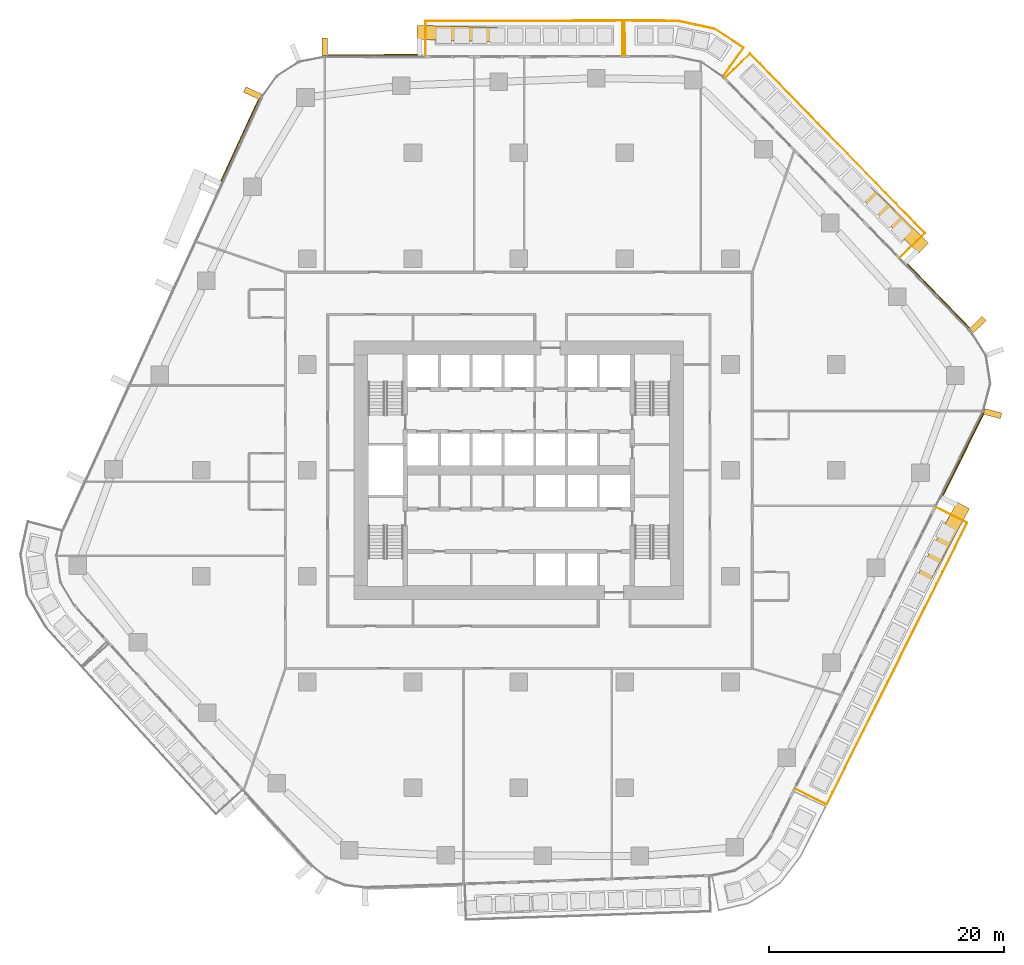
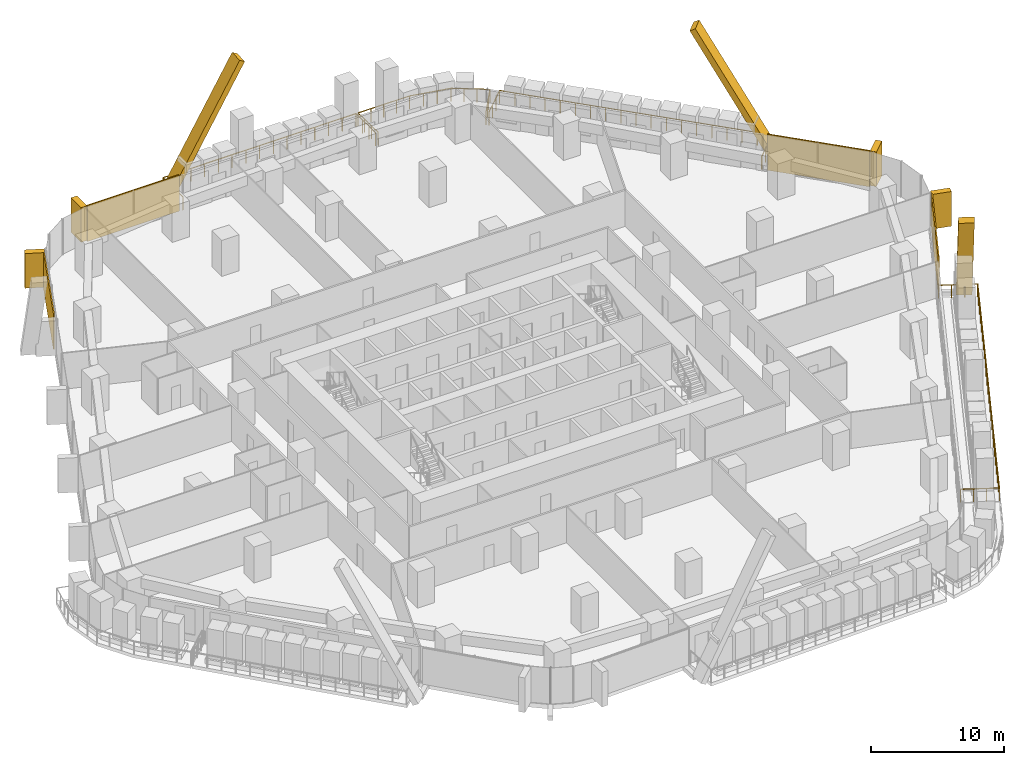
# One storey, part 26 of 26: 11 coverings, 4 railings, 5 elements without a shape of their own.
"""IFC4 building model written with IfcOpenShell, lengths in metres."""

from ifc_helpers import new_model, si_unit, direction, frame, origin, origin_2d, place, context, subcontext, project, spatial, rectangle, circle, extrude, material, layer, layer_set, material_profile, profile_set, type_object, element, aggregate, save


model = new_model("IFC4")

# Units and contexts
model_context = context("Model", 3, precision=1e-05, world=origin(), true_north=direction((0.0, 1.0)))
body_context = subcontext(model_context, "Body", "Model", "MODEL_VIEW")
ifc_project = project(units=[si_unit("LENGTHUNIT", "METRE"), si_unit("AREAUNIT", "SQUARE_METRE"), si_unit("VOLUMEUNIT", "CUBIC_METRE"), si_unit("PLANEANGLEUNIT", "RADIAN"), si_unit("MASSUNIT", "GRAM", prefix="KILO")], contexts=[model_context])

# Site, building, storey
site_placement = place(None, origin())
site = spatial("IfcSite", under=ifc_project, at=site_placement, CompositionType="ELEMENT")
building_placement = place(site_placement, origin())
building = spatial("IfcBuilding", under=site, at=building_placement, Name="Dongbaek Canopy Tower", CompositionType="ELEMENT")
storey_placement = place(building_placement, frame((0.0, 0.0, 73.60009765625)))
storey = spatial("IfcBuildingStorey", under=building, at=storey_placement, Name="L14", CompositionType="ELEMENT", Elevation=73.60009765625)

# Railings
ifc_material_1 = material(Name="Stainless steel", Category="steel")
railing_type = type_object("IfcRailingType", Name="Balcony balustrade 1200", PredefinedType="BALUSTRADE", material=ifc_material_1)
railing_1_placement = place(storey_placement, frame((32.41162109375, 18.11767578125, 0.0)))
element("IfcRailing", 1, at=railing_1_placement, inside=storey, type_object=railing_type, Name="Balcony guard L14 1", PredefinedType="BALUSTRADE", context=body_context, shape_type="SweptSolid", body=[
    extrude(circle(Radius=0.02392578125, at=origin_2d()), frame((0.0, 0.0, 1.17578125), z_axis=(0.717205859131, 0.696861360406, 0.0), x_axis=(-0.696861360406, 0.717205859131, 0.0)), (0.0, 0.0, 1.0), 2.940185546875),
    extrude(circle(Radius=0.02392578125, at=origin_2d()), frame((2.108642578125, 2.048828125, 1.17578125), z_axis=(-0.696881519823, 0.717186271013, 0.0), x_axis=(-0.717186271013, -0.696881519823, 0.0)), (0.0, 0.0, 1.0), 21.30615234375),
    extrude(circle(Radius=0.02392578125, at=origin_2d()), frame((-12.7392578125, 17.329345703125, 1.17578125), z_axis=(-0.717205859131, -0.696861360406, 0.0), x_axis=(0.696861360406, -0.717205859131, 0.0)), (0.0, 0.0, 1.0), 2.940185546875),
    extrude(circle(Radius=0.02099609375, at=origin_2d()), origin(), (0.0, 0.0, 1.0), 1.15185546875),
    extrude(circle(Radius=0.02099609375, at=origin_2d()), frame((0.702880859375, 0.682861328125, 0.0)), (0.0, 0.0, 1.0), 1.15185546875),
    extrude(circle(Radius=0.02099609375, at=origin_2d()), frame((1.40576171875, 1.365966796875, 0.0)), (0.0, 0.0, 1.0), 1.15185546875),
    extrude(circle(Radius=0.02099609375, at=origin_2d()), frame((2.108642578125, 2.048828125, 0.0)), (0.0, 0.0, 1.0), 1.15185546875),
    extrude(circle(Radius=0.02099609375, at=origin_2d()), frame((1.28369140625, 2.897705078125, 0.0)), (0.0, 0.0, 1.0), 1.15185546875),
    extrude(circle(Radius=0.02099609375, at=origin_2d()), frame((0.458984375, 3.74658203125, 0.0)), (0.0, 0.0, 1.0), 1.15185546875),
    extrude(circle(Radius=0.02099609375, at=origin_2d()), frame((-0.365966796875, 4.595703125, 0.0)), (0.0, 0.0, 1.0), 1.15185546875),
    extrude(circle(Radius=0.02099609375, at=origin_2d()), frame((-1.19091796875, 5.444580078125, 0.0)), (0.0, 0.0, 1.0), 1.15185546875),
    extrude(circle(Radius=0.02099609375, at=origin_2d()), frame((-2.015869140625, 6.29345703125, 0.0)), (0.0, 0.0, 1.0), 1.15185546875),
    extrude(circle(Radius=0.02099609375, at=origin_2d()), frame((-2.840576171875, 7.142333984375, 0.0)), (0.0, 0.0, 1.0), 1.15185546875),
    extrude(circle(Radius=0.02099609375, at=origin_2d()), frame((-3.66552734375, 7.9912109375, 0.0)), (0.0, 0.0, 1.0), 1.15185546875),
    extrude(circle(Radius=0.02099609375, at=origin_2d()), frame((-4.490478515625, 8.840087890625, 0.0)), (0.0, 0.0, 1.0), 1.15185546875),
    extrude(circle(Radius=0.02099609375, at=origin_2d()), frame((-5.3154296875, 9.68896484375, 0.0)), (0.0, 0.0, 1.0), 1.15185546875),
    extrude(circle(Radius=0.02099609375, at=origin_2d()), frame((-6.14013671875, 10.5380859375, 0.0)), (0.0, 0.0, 1.0), 1.15185546875),
    extrude(circle(Radius=0.02099609375, at=origin_2d()), frame((-6.965087890625, 11.386962890625, 0.0)), (0.0, 0.0, 1.0), 1.15185546875),
    extrude(circle(Radius=0.02099609375, at=origin_2d()), frame((-7.7900390625, 12.23583984375, 0.0)), (0.0, 0.0, 1.0), 1.15185546875),
    extrude(circle(Radius=0.02099609375, at=origin_2d()), frame((-8.61474609375, 13.084716796875, 0.0)), (0.0, 0.0, 1.0), 1.15185546875),
    extrude(circle(Radius=0.02099609375, at=origin_2d()), frame((-9.439697265625, 13.93359375, 0.0)), (0.0, 0.0, 1.0), 1.15185546875),
    extrude(circle(Radius=0.02099609375, at=origin_2d()), frame((-10.2646484375, 14.78271484375, 0.0)), (0.0, 0.0, 1.0), 1.15185546875),
    extrude(circle(Radius=0.02099609375, at=origin_2d()), frame((-11.089599609375, 15.631591796875, 0.0)), (0.0, 0.0, 1.0), 1.15185546875),
    extrude(circle(Radius=0.02099609375, at=origin_2d()), frame((-11.914306640625, 16.48046875, 0.0)), (0.0, 0.0, 1.0), 1.15185546875),
    extrude(circle(Radius=0.02099609375, at=origin_2d()), frame((-12.7392578125, 17.329345703125, 0.0)), (0.0, 0.0, 1.0), 1.15185546875),
    extrude(circle(Radius=0.02099609375, at=origin_2d()), frame((-13.442138671875, 16.646484375, 0.0)), (0.0, 0.0, 1.0), 1.15185546875),
    extrude(circle(Radius=0.02099609375, at=origin_2d()), frame((-14.14501953125, 15.96337890625, 0.0)), (0.0, 0.0, 1.0), 1.15185546875),
    extrude(circle(Radius=0.02099609375, at=origin_2d()), frame((-14.847900390625, 15.280517578125, 0.0)), (0.0, 0.0, 1.0), 1.15185546875),
])
railing_2_placement = place(storey_placement, frame((8.82421875, 35.28955078125, 0.0)))
element("IfcRailing", 2, at=railing_2_placement, inside=storey, type_object=railing_type, Name="Balcony guard L14 2", PredefinedType="BALUSTRADE", context=body_context, shape_type="SweptSolid", body=[
    extrude(circle(Radius=0.02392578125, at=origin_2d()), frame((0.0, 0.0, 1.17578125), z_axis=(-0.00141172422, 0.999999003517, 0.0), x_axis=(-0.999999003517, -0.00141172422, 0.0)), (0.0, 0.0, 1.0), 2.93994140625),
    extrude(circle(Radius=0.02392578125, at=origin_2d()), frame((-0.004150390625, 2.93994140625, 1.17578125), z_axis=(-0.999998979177, -0.001428861575, 0.0), x_axis=(0.001428861575, -0.999998979177, 0.0)), (0.0, 0.0, 1.0), 16.74462890625),
    extrude(circle(Radius=0.02392578125, at=origin_2d()), frame((-16.748779296875, 2.916015625, 1.17578125), z_axis=(0.001494642522, -0.999998883021, 0.0), x_axis=(0.999998883021, 0.001494642522, 0.0)), (0.0, 0.0, 1.0), 2.940185546875),
    extrude(circle(Radius=0.02099609375, at=origin_2d()), origin(), (0.0, 0.0, 1.0), 1.15185546875),
    extrude(circle(Radius=0.02099609375, at=origin_2d()), frame((-0.00146484375, 0.97998046875, 0.0)), (0.0, 0.0, 1.0), 1.15185546875),
    extrude(circle(Radius=0.02099609375, at=origin_2d()), frame((-0.002685546875, 1.9599609375, 0.0)), (0.0, 0.0, 1.0), 1.15185546875),
    extrude(circle(Radius=0.02099609375, at=origin_2d()), frame((-0.004150390625, 2.93994140625, 0.0)), (0.0, 0.0, 1.0), 1.15185546875),
    extrude(circle(Radius=0.02099609375, at=origin_2d()), frame((-1.2001953125, 2.938232421875, 0.0)), (0.0, 0.0, 1.0), 1.15185546875),
    extrude(circle(Radius=0.02099609375, at=origin_2d()), frame((-2.396240234375, 2.9365234375, 0.0)), (0.0, 0.0, 1.0), 1.15185546875),
    extrude(circle(Radius=0.02099609375, at=origin_2d()), frame((-3.59228515625, 2.934814453125, 0.0)), (0.0, 0.0, 1.0), 1.15185546875),
    extrude(circle(Radius=0.02099609375, at=origin_2d()), frame((-4.788330078125, 2.93310546875, 0.0)), (0.0, 0.0, 1.0), 1.15185546875),
    extrude(circle(Radius=0.02099609375, at=origin_2d()), frame((-5.984375, 2.931396484375, 0.0)), (0.0, 0.0, 1.0), 1.15185546875),
    extrude(circle(Radius=0.02099609375, at=origin_2d()), frame((-7.180419921875, 2.9296875, 0.0)), (0.0, 0.0, 1.0), 1.15185546875),
    extrude(circle(Radius=0.02099609375, at=origin_2d()), frame((-8.37646484375, 2.927978515625, 0.0)), (0.0, 0.0, 1.0), 1.15185546875),
    extrude(circle(Radius=0.02099609375, at=origin_2d()), frame((-9.572509765625, 2.92626953125, 0.0)), (0.0, 0.0, 1.0), 1.15185546875),
    extrude(circle(Radius=0.02099609375, at=origin_2d()), frame((-10.7685546875, 2.924560546875, 0.0)), (0.0, 0.0, 1.0), 1.15185546875),
    extrude(circle(Radius=0.02099609375, at=origin_2d()), frame((-11.964599609375, 2.9228515625, 0.0)), (0.0, 0.0, 1.0), 1.15185546875),
    extrude(circle(Radius=0.02099609375, at=origin_2d()), frame((-13.16064453125, 2.921142578125, 0.0)), (0.0, 0.0, 1.0), 1.15185546875),
    extrude(circle(Radius=0.02099609375, at=origin_2d()), frame((-14.356689453125, 2.91943359375, 0.0)), (0.0, 0.0, 1.0), 1.15185546875),
    extrude(circle(Radius=0.02099609375, at=origin_2d()), frame((-15.552734375, 2.917724609375, 0.0)), (0.0, 0.0, 1.0), 1.15185546875),
    extrude(circle(Radius=0.02099609375, at=origin_2d()), frame((-16.748779296875, 2.916015625, 0.0)), (0.0, 0.0, 1.0), 1.15185546875),
    extrude(circle(Radius=0.02099609375, at=origin_2d()), frame((-16.747314453125, 1.93603515625, 0.0)), (0.0, 0.0, 1.0), 1.15185546875),
    extrude(circle(Radius=0.02099609375, at=origin_2d()), frame((-16.745849609375, 0.955810546875, 0.0)), (0.0, 0.0, 1.0), 1.15185546875),
    extrude(circle(Radius=0.02099609375, at=origin_2d()), frame((-16.744384765625, -0.024169921875, 0.0)), (0.0, 0.0, 1.0), 1.15185546875),
])
railing_3_placement = place(storey_placement, frame((17.396240234375, 33.5390625, 0.0)))
element("IfcRailing", 3, at=railing_3_placement, inside=storey, type_object=railing_type, Name="Balcony guard L14 6", PredefinedType="BALUSTRADE", context=body_context, shape_type="SweptSolid", body=[
    extrude(circle(Radius=0.02392578125, at=origin_2d()), frame((0.0, 0.0, 1.17578125), z_axis=(0.580916151266, 0.813963405319, 0.0), x_axis=(-0.813963405319, 0.580916151266, 0.0)), (0.0, 0.0, 1.0), 2.940673828125),
    extrude(circle(Radius=0.02392578125, at=origin_2d()), frame((1.708251953125, 2.3935546875, 1.17578125), z_axis=(-0.836812141549, 0.547490127543, 0.0), x_axis=(-0.547490127543, -0.836812141549, 0.0)), (0.0, 0.0, 1.0), 2.923095703125),
    extrude(circle(Radius=0.02392578125, at=origin_2d()), frame((-0.73779296875, 3.993896484375, 1.17578125), z_axis=(-0.977539161475, 0.210753855914, 0.0), x_axis=(-0.210753855914, -0.977539161475, 0.0)), (0.0, 0.0, 1.0), 3.266845703125),
    extrude(circle(Radius=0.02392578125, at=origin_2d()), frame((-3.93115234375, 4.682373046875, 1.17578125), z_axis=(-0.99999828738, 0.001850739849, 0.0), x_axis=(-0.001850739849, -0.99999828738, 0.0)), (0.0, 0.0, 1.0), 4.485107421875),
    extrude(circle(Radius=0.02392578125, at=origin_2d()), frame((-8.416259765625, 4.690673828125, 1.17578125), z_axis=(0.021835018894, -0.999761587555, 0.0), x_axis=(0.999761587555, 0.021835018894, 0.0)), (0.0, 0.0, 1.0), 2.940673828125),
    extrude(circle(Radius=0.02099609375, at=origin_2d()), origin(), (0.0, 0.0, 1.0), 1.15185546875),
    extrude(circle(Radius=0.02099609375, at=origin_2d()), frame((0.5693359375, 0.7978515625, 0.0)), (0.0, 0.0, 1.0), 1.15185546875),
    extrude(circle(Radius=0.02099609375, at=origin_2d()), frame((1.138916015625, 1.595703125, 0.0)), (0.0, 0.0, 1.0), 1.15185546875),
    extrude(circle(Radius=0.02099609375, at=origin_2d()), frame((1.708251953125, 2.3935546875, 0.0)), (0.0, 0.0, 1.0), 1.15185546875),
    extrude(circle(Radius=0.02099609375, at=origin_2d()), frame((0.892822265625, 2.927001953125, 0.0)), (0.0, 0.0, 1.0), 1.15185546875),
    extrude(circle(Radius=0.02099609375, at=origin_2d()), frame((0.07763671875, 3.46044921875, 0.0)), (0.0, 0.0, 1.0), 1.15185546875),
    extrude(circle(Radius=0.02099609375, at=origin_2d()), frame((-0.73779296875, 3.993896484375, 0.0)), (0.0, 0.0, 1.0), 1.15185546875),
    extrude(circle(Radius=0.02099609375, at=origin_2d()), frame((-1.80224609375, 4.223388671875, 0.0)), (0.0, 0.0, 1.0), 1.15185546875),
    extrude(circle(Radius=0.02099609375, at=origin_2d()), frame((-2.86669921875, 4.452880859375, 0.0)), (0.0, 0.0, 1.0), 1.15185546875),
    extrude(circle(Radius=0.02099609375, at=origin_2d()), frame((-3.93115234375, 4.682373046875, 0.0)), (0.0, 0.0, 1.0), 1.15185546875),
    extrude(circle(Radius=0.02099609375, at=origin_2d()), frame((-5.052490234375, 4.6845703125, 0.0)), (0.0, 0.0, 1.0), 1.15185546875),
    extrude(circle(Radius=0.02099609375, at=origin_2d()), frame((-6.173828125, 4.6865234375, 0.0)), (0.0, 0.0, 1.0), 1.15185546875),
    extrude(circle(Radius=0.02099609375, at=origin_2d()), frame((-7.294921875, 4.6884765625, 0.0)), (0.0, 0.0, 1.0), 1.15185546875),
    extrude(circle(Radius=0.02099609375, at=origin_2d()), frame((-8.416259765625, 4.690673828125, 0.0)), (0.0, 0.0, 1.0), 1.15185546875),
    extrude(circle(Radius=0.02099609375, at=origin_2d()), frame((-8.394775390625, 3.710693359375, 0.0)), (0.0, 0.0, 1.0), 1.15185546875),
    extrude(circle(Radius=0.02099609375, at=origin_2d()), frame((-8.37353515625, 2.730712890625, 0.0)), (0.0, 0.0, 1.0), 1.15185546875),
    extrude(circle(Radius=0.02099609375, at=origin_2d()), frame((-8.35205078125, 1.750732421875, 0.0)), (0.0, 0.0, 1.0), 1.15185546875),
])
railing_4_placement = place(storey_placement, frame((23.53271484375, -27.111328125, 0.0)))
element("IfcRailing", 4, at=railing_4_placement, inside=storey, type_object=railing_type, Name="Balcony guard L14 5", PredefinedType="BALUSTRADE", context=body_context, shape_type="SweptSolid", body=[
    extrude(circle(Radius=0.02392578125, at=origin_2d()), frame((0.0, 0.0, 1.17578125), z_axis=(0.894825421688, -0.446416246009, 0.0), x_axis=(0.446416246009, 0.894825421688, 0.0)), (0.0, 0.0, 1.0), 2.940185546875),
    extrude(circle(Radius=0.02392578125, at=origin_2d()), frame((2.630859375, -1.3125, 1.17578125), z_axis=(0.446422098832, 0.89482250177, 0.0), x_axis=(-0.89482250177, 0.446422098832, 0.0)), (0.0, 0.0, 1.0), 26.77978515625),
    extrude(circle(Radius=0.02392578125, at=origin_2d()), frame((14.5859375, 22.650634765625, 1.17578125), z_axis=(-0.894825421688, 0.446416246009, 0.0), x_axis=(-0.446416246009, -0.894825421688, 0.0)), (0.0, 0.0, 1.0), 2.940185546875),
    extrude(circle(Radius=0.02099609375, at=origin_2d()), origin(), (0.0, 0.0, 1.0), 1.15185546875),
    extrude(circle(Radius=0.02099609375, at=origin_2d()), frame((0.876953125, -0.4375, 0.0)), (0.0, 0.0, 1.0), 1.15185546875),
    extrude(circle(Radius=0.02099609375, at=origin_2d()), frame((1.75390625, -0.875, 0.0)), (0.0, 0.0, 1.0), 1.15185546875),
    extrude(circle(Radius=0.02099609375, at=origin_2d()), frame((2.630859375, -1.3125, 0.0)), (0.0, 0.0, 1.0), 1.15185546875),
    extrude(circle(Radius=0.02099609375, at=origin_2d()), frame((3.150634765625, -0.2705078125, 0.0)), (0.0, 0.0, 1.0), 1.15185546875),
    extrude(circle(Radius=0.02099609375, at=origin_2d()), frame((3.67041015625, 0.771240234375, 0.0)), (0.0, 0.0, 1.0), 1.15185546875),
    extrude(circle(Radius=0.02099609375, at=origin_2d()), frame((4.190185546875, 1.813232421875, 0.0)), (0.0, 0.0, 1.0), 1.15185546875),
    extrude(circle(Radius=0.02099609375, at=origin_2d()), frame((4.7099609375, 2.85498046875, 0.0)), (0.0, 0.0, 1.0), 1.15185546875),
    extrude(circle(Radius=0.02099609375, at=origin_2d()), frame((5.229736328125, 3.89697265625, 0.0)), (0.0, 0.0, 1.0), 1.15185546875),
    extrude(circle(Radius=0.02099609375, at=origin_2d()), frame((5.74951171875, 4.938720703125, 0.0)), (0.0, 0.0, 1.0), 1.15185546875),
    extrude(circle(Radius=0.02099609375, at=origin_2d()), frame((6.269287109375, 5.980712890625, 0.0)), (0.0, 0.0, 1.0), 1.15185546875),
    extrude(circle(Radius=0.02099609375, at=origin_2d()), frame((6.7890625, 7.0224609375, 0.0)), (0.0, 0.0, 1.0), 1.15185546875),
    extrude(circle(Radius=0.02099609375, at=origin_2d()), frame((7.308837890625, 8.064453125, 0.0)), (0.0, 0.0, 1.0), 1.15185546875),
    extrude(circle(Radius=0.02099609375, at=origin_2d()), frame((7.82861328125, 9.106201171875, 0.0)), (0.0, 0.0, 1.0), 1.15185546875),
    extrude(circle(Radius=0.02099609375, at=origin_2d()), frame((8.348388671875, 10.148193359375, 0.0)), (0.0, 0.0, 1.0), 1.15185546875),
    extrude(circle(Radius=0.02099609375, at=origin_2d()), frame((8.868408203125, 11.18994140625, 0.0)), (0.0, 0.0, 1.0), 1.15185546875),
    extrude(circle(Radius=0.02099609375, at=origin_2d()), frame((9.38818359375, 12.23193359375, 0.0)), (0.0, 0.0, 1.0), 1.15185546875),
    extrude(circle(Radius=0.02099609375, at=origin_2d()), frame((9.907958984375, 13.273681640625, 0.0)), (0.0, 0.0, 1.0), 1.15185546875),
    extrude(circle(Radius=0.02099609375, at=origin_2d()), frame((10.427734375, 14.315673828125, 0.0)), (0.0, 0.0, 1.0), 1.15185546875),
    extrude(circle(Radius=0.02099609375, at=origin_2d()), frame((10.947509765625, 15.357421875, 0.0)), (0.0, 0.0, 1.0), 1.15185546875),
    extrude(circle(Radius=0.02099609375, at=origin_2d()), frame((11.46728515625, 16.3994140625, 0.0)), (0.0, 0.0, 1.0), 1.15185546875),
    extrude(circle(Radius=0.02099609375, at=origin_2d()), frame((11.987060546875, 17.441162109375, 0.0)), (0.0, 0.0, 1.0), 1.15185546875),
    extrude(circle(Radius=0.02099609375, at=origin_2d()), frame((12.5068359375, 18.483154296875, 0.0)), (0.0, 0.0, 1.0), 1.15185546875),
    extrude(circle(Radius=0.02099609375, at=origin_2d()), frame((13.026611328125, 19.52490234375, 0.0)), (0.0, 0.0, 1.0), 1.15185546875),
    extrude(circle(Radius=0.02099609375, at=origin_2d()), frame((13.54638671875, 20.56689453125, 0.0)), (0.0, 0.0, 1.0), 1.15185546875),
    extrude(circle(Radius=0.02099609375, at=origin_2d()), frame((14.066162109375, 21.608642578125, 0.0)), (0.0, 0.0, 1.0), 1.15185546875),
    extrude(circle(Radius=0.02099609375, at=origin_2d()), frame((14.5859375, 22.650634765625, 0.0)), (0.0, 0.0, 1.0), 1.15185546875),
    extrude(circle(Radius=0.02099609375, at=origin_2d()), frame((13.708984375, 23.088134765625, 0.0)), (0.0, 0.0, 1.0), 1.15185546875),
    extrude(circle(Radius=0.02099609375, at=origin_2d()), frame((12.83203125, 23.525634765625, 0.0)), (0.0, 0.0, 1.0), 1.15185546875),
    extrude(circle(Radius=0.02099609375, at=origin_2d()), frame((11.955078125, 23.963134765625, 0.0)), (0.0, 0.0, 1.0), 1.15185546875),
])

# Curtain wall, covering
ifc_material_2 = material(Name="Aluminium 6063-T6 pale anodised", Category="aluminium")
ifc_layer_1 = layer(ifc_material_2, 0.199951171875)
ifc_layer_set_1 = layer_set([ifc_layer_1], Name="CW-1 unitised tower curtain wall")
curtain_wall_type = type_object("IfcCurtainWallType", Name="CW-1 unitised tower curtain wall", PredefinedType="NOTDEFINED", material=ifc_layer_set_1)
curtain_wall_1_placement = place(storey_placement, origin())
curtain_wall_1 = element("IfcCurtainWall", 5, at=curtain_wall_1_placement, inside=storey, type_object=curtain_wall_type, Name="CW-1 curtain wall F5.1", PredefinedType="NOTDEFINED")
ifc_material_3 = material(Name="Aluminium 6063-T6 pale metal fin", Category="aluminium")
ifc_material_profile_1 = material_profile(ifc_material_3, rectangle(XDim=1.199951171875, YDim=0.5, at=origin_2d()), Name="Crease fin CF1 500 x 1200 pale metal")
ifc_profile_set_1 = profile_set([ifc_material_profile_1], Name="Aluminium 6063-T6 pale metal fin")
covering_type_1 = type_object("IfcCoveringType", Name="Crease fin CF1 500 x 1200 pale metal", PredefinedType="CLADDING", material=ifc_profile_set_1)
covering_1_placement = place(storey_placement, frame((37.680908203125, -3.165283203125, -0.2001953125), z_axis=(-0.239104613319, -0.441303908011, 0.864916091112), x_axis=(0.879237728701, -0.476383266318, 0.0)))
covering_1 = element("IfcCovering", 6, at=covering_1_placement, type_object=covering_type_1, Name="Crease fin L14 L17 F5", PredefinedType="CLADDING", context=body_context, shape_type="SweptSolid", body=[
    extrude(rectangle(XDim=1.199951171875, YDim=0.5, at=origin_2d()), origin(), (0.0, 0.0, 1.0), 12.833740234375),
])

curtain_wall_2_placement = place(storey_placement, origin())
curtain_wall_2 = element("IfcCurtainWall", 7, at=curtain_wall_2_placement, inside=storey, type_object=curtain_wall_type, Name="CW-1 curtain wall F0.1", PredefinedType="NOTDEFINED")
covering_2_placement = place(storey_placement, frame((34.262939453125, 19.039306640625, -0.2001953125), z_axis=(-0.358057134567, 0.347516511973, 0.866618348693), x_axis=(-0.696465542048, -0.71759023735, 0.0)))
covering_2 = element("IfcCovering", 8, at=covering_2_placement, type_object=covering_type_1, Name="Crease fin L14 L17 F0", PredefinedType="CLADDING", context=body_context, shape_type="SweptSolid", body=[
    extrude(rectangle(XDim=1.199951171875, YDim=0.5, at=origin_2d()), origin(), (0.0, 0.0, 1.0), 12.80859375),
])

curtain_wall_3_placement = place(storey_placement, origin())
curtain_wall_3 = element("IfcCurtainWall", 9, at=curtain_wall_3_placement, inside=storey, type_object=curtain_wall_type, Name="CW-1 curtain wall F1.1", PredefinedType="NOTDEFINED")
covering_3_placement = place(storey_placement, frame((-8.44091796875, 37.234619140625, -0.2001953125), z_axis=(0.497862147144, -0.01424697456, 0.8671391504), x_axis=(0.028604594362, 0.99959080487, 0.0)))
covering_3 = element("IfcCovering", 10, at=covering_3_placement, type_object=covering_type_1, Name="Crease fin L14 L17 F1", PredefinedType="CLADDING", context=body_context, shape_type="SweptSolid", body=[
    extrude(rectangle(XDim=1.199951171875, YDim=0.5, at=origin_2d()), origin(), (0.0, 0.0, 1.0), 12.80078125),
])

# Covering
ifc_material_4 = material(Name="Perforated aluminium 6063-T6 pale metal screen", Category="aluminium")
ifc_layer_2 = layer(ifc_material_4, 0.10009765625)
ifc_layer_set_2 = layer_set([ifc_layer_2], Name="Facet screen FS1 100 pale metal")
covering_type_2 = type_object("IfcCoveringType", Name="Facet screen FS1 100 pale metal", PredefinedType="CLADDING", material=ifc_layer_set_2)
covering_4_placement = place(storey_placement, frame((37.718994140625, 1.22119140625, 0.0), z_axis=(0.0, 0.0, 1.0), x_axis=(0.446421158793, 0.89482297075, 0.0)))
covering_4 = element("IfcCovering", 11, at=covering_4_placement, type_object=covering_type_2, Name="Facet screen L14 F5", PredefinedType="CLADDING", context=body_context, shape_type="SweptSolid", body=[
    extrude(rectangle(XDim=8.154541015625, YDim=0.10009765625, at=origin_2d()), origin(), (0.0, 0.0, 1.0), 3.300048828125),
])

aggregate(curtain_wall_1, [covering_1, covering_4])

covering_5_placement = place(storey_placement, frame((35.53173828125, 14.97265625, 0.0), z_axis=(0.0, 0.0, 1.0), x_axis=(-0.696881015519, 0.717186761039, 0.0)))
covering_5 = element("IfcCovering", 12, at=covering_5_placement, type_object=covering_type_2, Name="Facet screen L14 F0", PredefinedType="CLADDING", context=body_context, shape_type="SweptSolid", body=[
    extrude(rectangle(XDim=7.98095703125, YDim=0.10009765625, at=origin_2d()), origin(), (0.0, 0.0, 1.0), 3.300048828125),
])

covering_6_placement = place(storey_placement, frame((-12.22216796875, 35.305419921875, 0.0), z_axis=(0.0, 0.0, 1.0), x_axis=(-0.999998970875, -0.001434660153, 0.0)))
covering_6 = element("IfcCovering", 13, at=covering_6_placement, type_object=covering_type_2, Name="Facet screen L14 F1", PredefinedType="CLADDING", context=body_context, shape_type="SweptSolid", body=[
    extrude(rectangle(XDim=7.981689453125, YDim=0.10009765625, at=origin_2d()), origin(), (0.0, 0.0, 1.0), 3.300048828125),
])

# Curtain wall, covering
curtain_wall_4_placement = place(storey_placement, origin())
curtain_wall_4 = element("IfcCurtainWall", 14, at=curtain_wall_4_placement, inside=storey, type_object=curtain_wall_type, Name="CW-1 curtain wall F2.1", PredefinedType="NOTDEFINED")
covering_7_placement = place(storey_placement, frame((-23.789794921875, 27.883056640625, 0.0), z_axis=(0.0, 0.0, 1.0), x_axis=(-0.418024046506, -0.908435961718, 0.0)))
covering_7 = element("IfcCovering", 15, at=covering_7_placement, type_object=covering_type_2, Name="Facet screen L14 F2", PredefinedType="CLADDING", context=body_context, shape_type="SweptSolid", body=[
    extrude(rectangle(XDim=7.981689453125, YDim=0.10009765625, at=origin_2d()), origin(), (0.0, 0.0, 1.0), 3.300048828125),
])

curtain_wall_5_placement = place(storey_placement, origin())
curtain_wall_5 = element("IfcCurtainWall", 16, at=curtain_wall_5_placement, inside=storey, type_object=curtain_wall_type, Name="CW-1 curtain wall K0.1", PredefinedType="NOTDEFINED")
ifc_material_5 = material(Name="Aluminium 6063-T6 pale metal fin", Category="aluminium")
ifc_material_profile_2 = material_profile(ifc_material_5, rectangle(XDim=1.5, YDim=0.5, at=origin_2d()), Name="Fin FN1 500 x 1500 pale metal")
ifc_profile_set_2 = profile_set([ifc_material_profile_2], Name="Aluminium 6063-T6 pale metal fin")
covering_type_3 = type_object("IfcCoveringType", Name="Fin FN1 500 x 1500 pale metal", PredefinedType="CLADDING", material=ifc_profile_set_2)
covering_8_placement = place(storey_placement, frame((40.28271484375, 4.82275390625, 0.119873046875), z_axis=(0.0, 0.0, 1.0), x_axis=(0.967124445532, -0.254303572242, 0.0)))
covering_8 = element("IfcCovering", 17, at=covering_8_placement, type_object=covering_type_3, Name="Fin K0.1.1", PredefinedType="CLADDING", context=body_context, shape_type="SweptSolid", body=[
    extrude(rectangle(XDim=1.5, YDim=0.5, at=origin_2d()), origin(), (0.0, 0.0, 1.0), 3.179931640625),
])
aggregate(curtain_wall_5, [covering_8])

# Covering
covering_9_placement = place(storey_placement, frame((39.01953125, 12.393310546875, 0.119873046875), z_axis=(0.0, 0.0, 1.0), x_axis=(0.717186200853, 0.696881592027, 0.0)))
covering_9 = element("IfcCovering", 18, at=covering_9_placement, type_object=covering_type_3, Name="Fin F0.1.1", PredefinedType="CLADDING", context=body_context, shape_type="SweptSolid", body=[
    extrude(rectangle(XDim=1.5, YDim=0.5, at=origin_2d()), origin(), (0.0, 0.0, 1.0), 3.179931640625),
])

aggregate(curtain_wall_2, [covering_9, covering_2, covering_5])

covering_10_placement = place(storey_placement, frame((-16.504150390625, 36.003173828125, 0.119873046875), z_axis=(0.0, 0.0, 1.0), x_axis=(-0.00143427852, 0.999998971422, 0.0)))
covering_10 = element("IfcCovering", 19, at=covering_10_placement, type_object=covering_type_3, Name="Fin F1.1.3", PredefinedType="CLADDING", context=body_context, shape_type="SweptSolid", body=[
    extrude(rectangle(XDim=1.5, YDim=0.5, at=origin_2d()), origin(), (0.0, 0.0, 1.0), 3.179931640625),
])

aggregate(curtain_wall_3, [covering_10, covering_3, covering_6])

covering_11_placement = place(storey_placement, frame((-22.639892578125, 32.066162109375, 0.119873046875), z_axis=(0.0, 0.0, 1.0), x_axis=(-0.908435687115, 0.418024643264, 0.0)))
covering_11 = element("IfcCovering", 20, at=covering_11_placement, type_object=covering_type_3, Name="Fin F2.1.1", PredefinedType="CLADDING", context=body_context, shape_type="SweptSolid", body=[
    extrude(rectangle(XDim=1.5, YDim=0.5, at=origin_2d()), origin(), (0.0, 0.0, 1.0), 3.179931640625),
])

aggregate(curtain_wall_4, [covering_11, covering_7])

save(model, "model.ifc")
